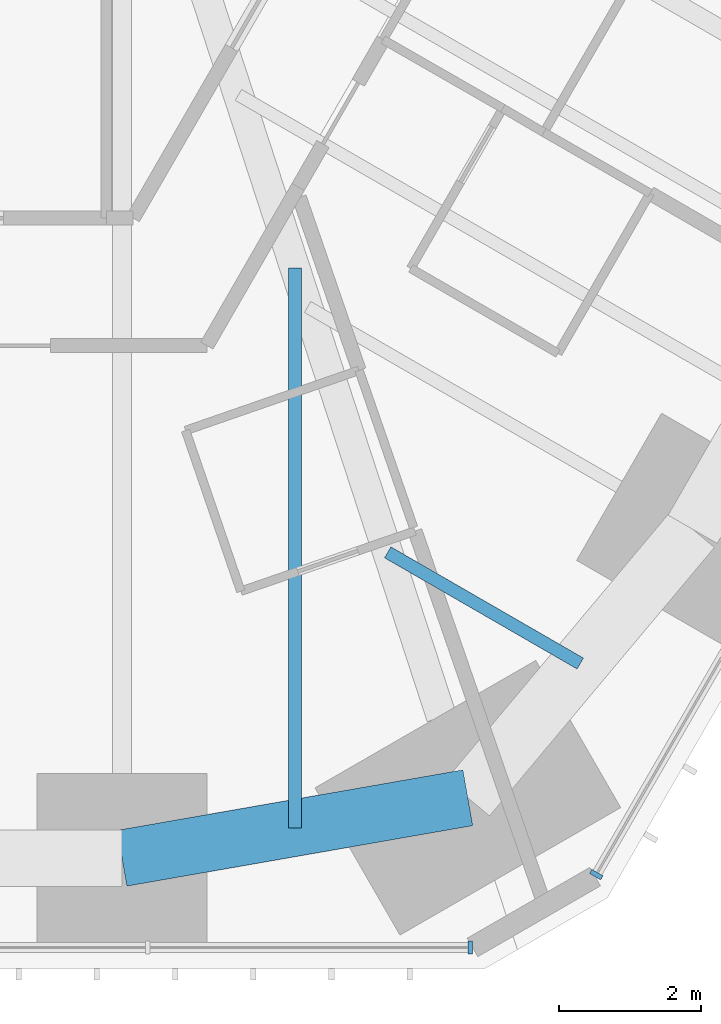
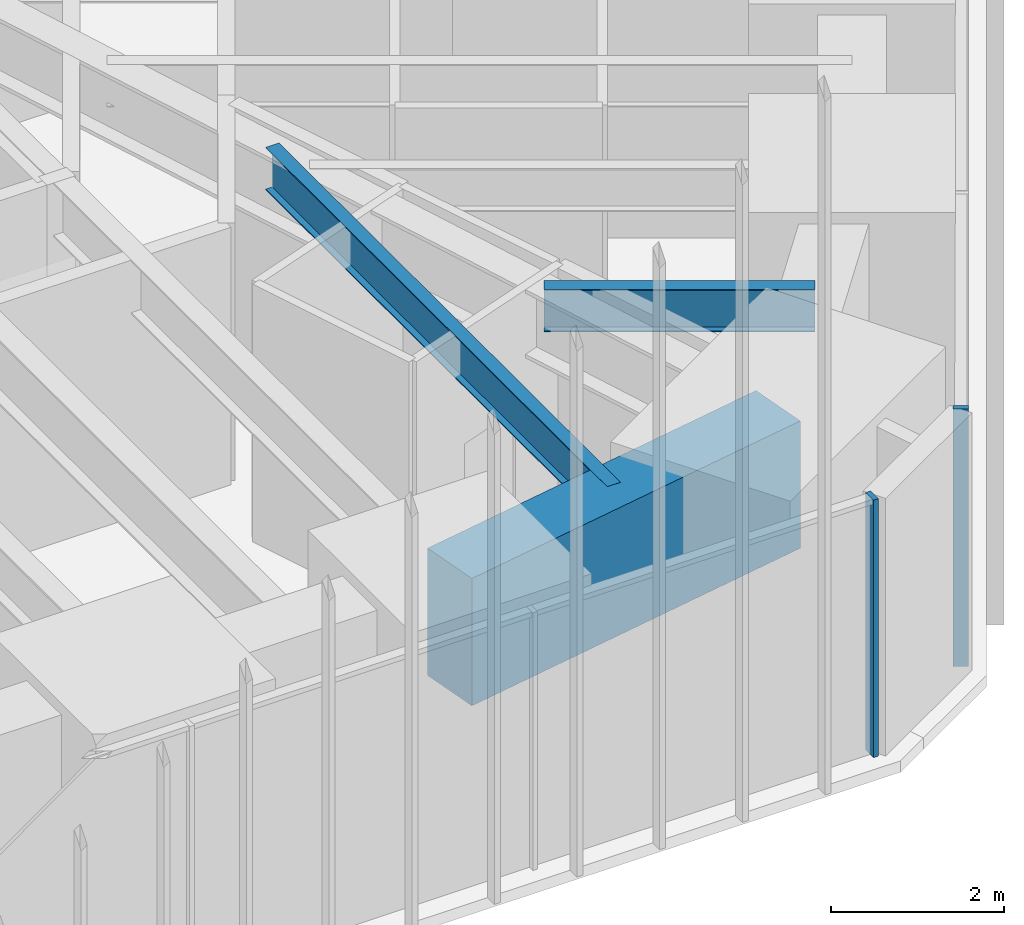
# One storey, part 78 of 256: 3 beams, 2 members, 2 elements without a shape of their own.
"""IFC4 building model written with IfcOpenShell, lengths in metres."""

from ifc_helpers import new_model, si_unit, direction, frame, origin, origin_2d, place, context, subcontext, project, spatial, rectangle, i_section, extrude, material, material_profile, profile_set, type_object, element, aggregate, save


model = new_model("IFC4")

# Units and contexts
model_context = context("Model", 3, precision=1e-05, world=origin(), true_north=direction((0.0, 1.0)))
body_context = subcontext(model_context, "Body", "Model", "MODEL_VIEW")
ifc_project = project(units=[si_unit("LENGTHUNIT", "METRE"), si_unit("AREAUNIT", "SQUARE_METRE"), si_unit("VOLUMEUNIT", "CUBIC_METRE"), si_unit("PLANEANGLEUNIT", "RADIAN"), si_unit("MASSUNIT", "GRAM", prefix="KILO")], contexts=[model_context])

# Site, building, storey
site_placement = place(None, origin())
site = spatial("IfcSite", under=ifc_project, at=site_placement, CompositionType="ELEMENT")
building_placement = place(site_placement, origin())
building = spatial("IfcBuilding", under=site, at=building_placement, Name="Sandreach Pilgrim Tower", CompositionType="ELEMENT")
storey_placement = place(building_placement, frame((0.0, 0.0, 23.0)))
storey = spatial("IfcBuildingStorey", under=building, at=storey_placement, Name="L04", CompositionType="ELEMENT", Elevation=23.0)

# Curtain wall, member
ifc_material_1 = material(Name="Aluminium framed curtain wall", Category="aluminium")
curtain_wall_type = type_object("IfcCurtainWallType", Name="Hostel tower curtain wall", PredefinedType="NOTDEFINED", material=ifc_material_1)
curtain_wall_1_placement = place(storey_placement, origin())
curtain_wall_1 = element("IfcCurtainWall", 1, at=curtain_wall_1_placement, inside=storey, type_object=curtain_wall_type, Name="CW-1 L04 SE", PredefinedType="NOTDEFINED")
ifc_material_2 = material(Name="Aluminium extrusion", Category="aluminium")
ifc_material_profile_1 = material_profile(ifc_material_2, rectangle(XDim=0.06494140625, YDim=0.179931640625, at=origin_2d()), Name="CW-1M 65X180")
ifc_profile_set_1 = profile_set([ifc_material_profile_1], Name="Aluminium extrusion")
member_type = type_object("IfcMemberType", Name="CW-1 mullion", PredefinedType="MULLION", material=ifc_profile_set_1)
member_1_placement = place(storey_placement, frame((10.92041015625, -28.982666015625, 0.0), z_axis=(0.0, 0.0, 1.0), x_axis=(-0.5, -0.866025403784, 0.0)))
member_1 = element("IfcMember", 2, at=member_1_placement, type_object=member_type, Name="CW-1 mullion 10", PredefinedType="MULLION", context=body_context, shape_type="SweptSolid", body=[
    extrude(rectangle(XDim=0.06494140625, YDim=0.179931640625, at=origin_2d()), origin(), (0.0, 0.0, 1.0), 3.639892578125),
])
aggregate(curtain_wall_1, [member_1])

curtain_wall_2_placement = place(storey_placement, origin())
curtain_wall_2 = element("IfcCurtainWall", 3, at=curtain_wall_2_placement, inside=storey, type_object=curtain_wall_type, Name="CW-1 L04 S", PredefinedType="NOTDEFINED")
member_2_placement = place(storey_placement, frame((9.1396484375, -30.010986328125, 0.0), z_axis=(0.0, 0.0, 1.0), x_axis=(-1.0, 0.0, 0.0)))
member_2 = element("IfcMember", 4, at=member_2_placement, type_object=member_type, Name="CW-1 mullion 1", PredefinedType="MULLION", context=body_context, shape_type="SweptSolid", body=[
    extrude(rectangle(XDim=0.06494140625, YDim=0.179931640625, at=origin_2d()), origin(), (0.0, 0.0, 1.0), 3.639892578125),
])
aggregate(curtain_wall_2, [member_2])

# Beams
ifc_material_3 = material(Name="Steel ASTM A992 Grade 50", Category="steel")
ifc_material_profile_2 = material_profile(ifc_material_3, i_section(OverallWidth=0.1787109375, OverallDepth=0.60205078125, WebThickness=0.010986328125, FlangeThickness=0.014892578125, at=origin_2d()), Name="W24X62")
ifc_profile_set_2 = profile_set([ifc_material_profile_2], Name="Steel ASTM A992 Grade 50")
beam_type_1 = type_object("IfcBeamType", Name="Floor beam W24X62", PredefinedType="BEAM", material=ifc_profile_set_2)
beam_1_placement = place(storey_placement, frame((10.694091796875, -26.0009765625, 3.339111328125), z_axis=(-0.866023718453, 0.500002919068, 0.0), x_axis=(-0.500002919068, -0.866023718453, 0.0)))
element("IfcBeam", 5, at=beam_1_placement, inside=storey, type_object=beam_type_1, Name="BM L04 FM21", PredefinedType="BEAM", context=body_context, shape_type="SweptSolid", body=[
    extrude(i_section(OverallWidth=0.1787109375, OverallDepth=0.60205078125, WebThickness=0.010986328125, FlangeThickness=0.014892578125, at=origin_2d()), origin(), (0.0, 0.0, 1.0), 3.1396484375),
])
beam_2_placement = place(storey_placement, frame((6.664306640625, -28.323974609375, 3.339111328125), z_axis=(0.0, 1.0, 0.0), x_axis=(-1.0, 0.0, 0.0)))
element("IfcBeam", 6, at=beam_2_placement, inside=storey, type_object=beam_type_1, Name="BM L04 FM22", PredefinedType="BEAM", context=body_context, shape_type="SweptSolid", body=[
    extrude(i_section(OverallWidth=0.1787109375, OverallDepth=0.60205078125, WebThickness=0.010986328125, FlangeThickness=0.014892578125, at=origin_2d()), origin(), (0.0, 0.0, 1.0), 7.907958984375),
])
ifc_material_4 = material(Name="Concrete 10000 psi", Category="concrete")
ifc_material_profile_3 = material_profile(ifc_material_4, rectangle(XDim=0.800048828125, YDim=1.800048828125, at=origin_2d()), Name="RC800X1800")
ifc_profile_set_3 = profile_set([ifc_material_profile_3], Name="Concrete 10000 psi")
beam_type_2 = type_object("IfcBeamType", Name="Spandrel beam RC800X1800", PredefinedType="SPANDREL", material=ifc_profile_set_3)
beam_3_placement = place(storey_placement, frame((9.1064453125, -27.89697265625, 2.739990234375), z_axis=(-0.985054495501, -0.17224297052, 0.0), x_axis=(0.17224297052, -0.985054495501, 0.0)))
element("IfcBeam", 7, at=beam_3_placement, inside=storey, type_object=beam_type_2, Name="BM L04 SP22", PredefinedType="SPANDREL", context=body_context, shape_type="SweptSolid", body=[
    extrude(rectangle(XDim=0.800048828125, YDim=1.800048828125, at=origin_2d()), origin(), (0.0, 0.0, 1.0), 4.958251953125),
])

save(model, "model.ifc")
